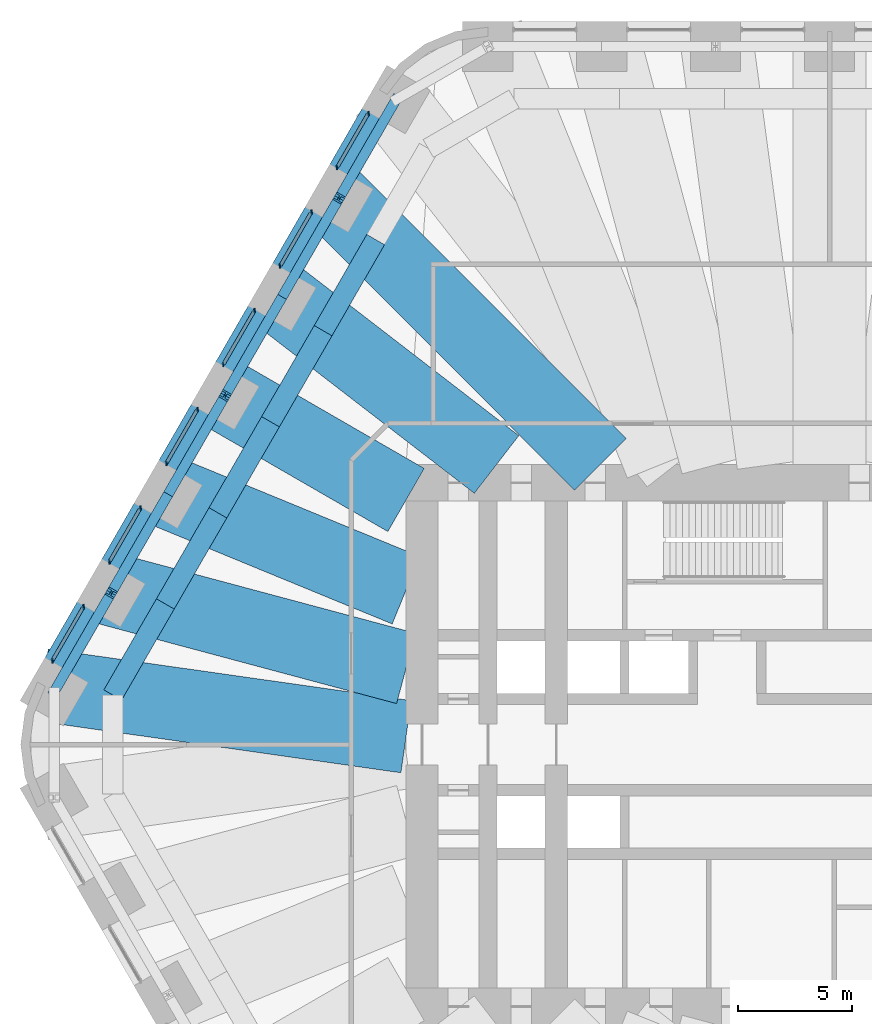
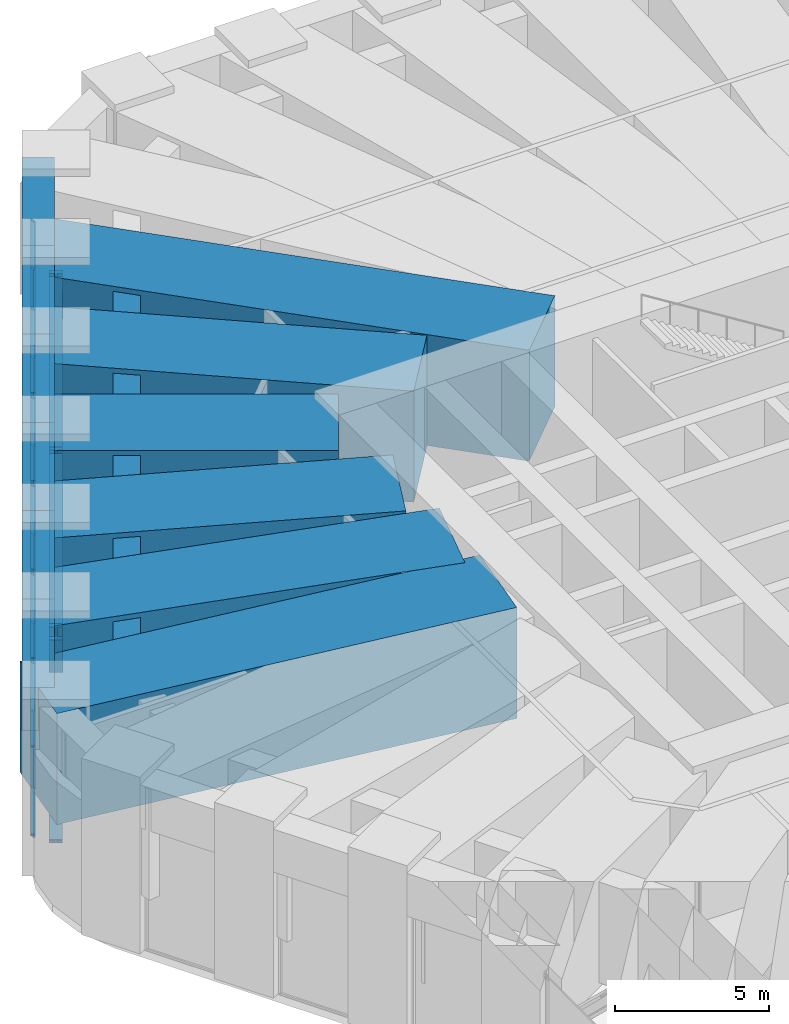
# One storey, part 6 of 16: 30 members, 17 beams, 6 elements without a shape of their own.
"""IFC4 building model written with IfcOpenShell, lengths in metres."""

from ifc_helpers import new_model, si_unit, direction, frame, origin, origin_2d, place, context, subcontext, project, spatial, rectangle, i_section, extrude, material, material_profile, profile_set, type_object, element, aggregate, save


model = new_model("IFC4")

# Units and contexts
model_context = context("Model", 3, precision=1e-05, world=origin(), true_north=direction((0.0, 1.0)))
body_context = subcontext(model_context, "Body", "Model", "MODEL_VIEW")
ifc_project = project(units=[si_unit("LENGTHUNIT", "METRE"), si_unit("AREAUNIT", "SQUARE_METRE"), si_unit("VOLUMEUNIT", "CUBIC_METRE"), si_unit("PLANEANGLEUNIT", "RADIAN"), si_unit("MASSUNIT", "GRAM", prefix="KILO")], contexts=[model_context])

# Site, building, storey
site_placement = place(None, origin())
site = spatial("IfcSite", under=ifc_project, at=site_placement, CompositionType="ELEMENT")
building_placement = place(site_placement, origin())
building = spatial("IfcBuilding", under=site, at=building_placement, Name="Tarfa Lantern Tower", CompositionType="ELEMENT")
storey_placement = place(building_placement, frame((0.0, 0.0, 203.5)))
storey = spatial("IfcBuildingStorey", under=building, at=storey_placement, Name="L46", CompositionType="ELEMENT", Elevation=203.5)

# Members
ifc_material_1 = material(Name="Steel S460M", Category="steel")
ifc_material_profile_1 = material_profile(ifc_material_1, i_section(OverallWidth=0.44189453125, OverallDepth=0.531005859375, WebThickness=0.06591796875, FlangeThickness=0.10595703125, FilletRadius=0.02001953125, at=origin_2d()), Name="HD400x900")
ifc_profile_set_1 = profile_set([ifc_material_profile_1], Name="Steel S460M")
member_type_1 = type_object("IfcMemberType", Name="BT2 HD400x900", PredefinedType="BRACE", material=ifc_profile_set_1)
for number, where, z_axis, x_axis, name in (
    (1, (-19.0380859375, 28.324951171875, 0.60009765625), (-0.360844152163, -0.624963198354, 0.692251759516), (0.866012514114, -0.500022324899, 0.0), "Belt truss diagonal 15"),
    (2, (-24.041748046875, 19.658447265625, 0.60009765625), (0.360813525196, 0.624971138743, 0.69226055483), (-0.866033642122, 0.49998573051, 0.0), "Belt truss diagonal 16"),
):
    element("IfcMember", number, at=place(storey_placement, frame(where, z_axis=z_axis, x_axis=x_axis)), inside=storey, type_object=member_type_1, Name=name, PredefinedType="BRACE", context=body_context, shape_type="SweptSolid", body=[
        extrude(i_section(OverallWidth=0.44189453125, OverallDepth=0.531005859375, WebThickness=0.06591796875, FlangeThickness=0.10595703125, FilletRadius=0.02001953125, at=origin_2d()), origin(), (0.0, 0.0, 1.0), 6.93359375),
    ])
member_1_placement = place(storey_placement, frame((-24.041748046875, 19.658447265625, 0.60009765625), z_axis=(-0.360836211576, -0.624984656077, 0.692236526112), x_axis=(0.866024712477, -0.500001197378, 0.0)))
element("IfcMember", 3, at=member_1_placement, inside=storey, type_object=member_type_1, Name="Belt truss diagonal 17", PredefinedType="BRACE", context=body_context, shape_type="SweptSolid", body=[
    extrude(i_section(OverallWidth=0.44189453125, OverallDepth=0.531005859375, WebThickness=0.06591796875, FlangeThickness=0.10595703125, FilletRadius=0.02001953125, at=origin_2d()), origin(), (0.0, 0.0, 1.0), 6.933837890625),
])
for number, where, z_axis, x_axis, name in (
    (4, (-29.04541015625, 10.99169921875, 0.60009765625), (0.360813525196, 0.624971138743, 0.69226055483), (-0.866033642122, 0.49998573051, 0.0), "Belt truss diagonal 18"),
    (5, (-29.04541015625, 10.99169921875, 0.60009765625), (-0.360844152163, -0.624963198354, 0.692251759516), (0.866012514114, -0.500022324899, 0.0), "Belt truss diagonal 19"),
):
    element("IfcMember", number, at=place(storey_placement, frame(where, z_axis=z_axis, x_axis=x_axis)), inside=storey, type_object=member_type_1, Name=name, PredefinedType="BRACE", context=body_context, shape_type="SweptSolid", body=[
        extrude(i_section(OverallWidth=0.44189453125, OverallDepth=0.531005859375, WebThickness=0.06591796875, FlangeThickness=0.10595703125, FilletRadius=0.02001953125, at=origin_2d()), origin(), (0.0, 0.0, 1.0), 6.93359375),
    ])
member_2_placement = place(storey_placement, frame((-34.04931640625, 2.324951171875, 0.60009765625), z_axis=(0.360836211576, 0.624984656077, 0.692236526112), x_axis=(-0.866024712477, 0.500001197378, 0.0)))
element("IfcMember", 6, at=member_2_placement, inside=storey, type_object=member_type_1, Name="Belt truss diagonal 20", PredefinedType="BRACE", context=body_context, shape_type="SweptSolid", body=[
    extrude(i_section(OverallWidth=0.44189453125, OverallDepth=0.531005859375, WebThickness=0.06591796875, FlangeThickness=0.10595703125, FilletRadius=0.02001953125, at=origin_2d()), origin(), (0.0, 0.0, 1.0), 6.933837890625),
])

# Curtain wall, members
ifc_material_2 = material(Name="Aluminium framed curtain wall", Category="aluminium")
curtain_wall_type = type_object("IfcCurtainWallType", Name="CW6 LOUVRED SCREEN WALL 5000", PredefinedType="USERDEFINED", material=ifc_material_2)
curtain_wall_1_placement = place(storey_placement, origin())
curtain_wall_1 = element("IfcCurtainWall", 7, at=curtain_wall_1_placement, inside=storey, type_object=curtain_wall_type, Name="CW6 NW L46", ObjectType="CURTAIN WALL", PredefinedType="USERDEFINED")
ifc_material_3 = material(Name="Aluminium mullion", Category="aluminium")
ifc_material_profile_2 = material_profile(ifc_material_3, rectangle(XDim=0.06494140625, YDim=0.199951171875, at=origin_2d()), Name="AL MULLION 65x200")
ifc_profile_set_2 = profile_set([ifc_material_profile_2], Name="Aluminium mullion")
member_type_2 = type_object("IfcMemberType", Name="CWM1 MULLION 65x200", PredefinedType="MULLION", material=ifc_profile_set_2)
member_3_placement = place(storey_placement, frame((-20.25390625, 27.71923828125, 0.0), z_axis=(0.0, 0.0, 1.0), x_axis=(1.0, 0.0, 0.0)))
member_3 = element("IfcMember", 8, at=member_3_placement, type_object=member_type_2, Name="CW6 mullion 1", PredefinedType="MULLION", context=body_context, shape_type="SweptSolid", body=[
    extrude(rectangle(XDim=0.06494140625, YDim=0.199951171875, at=origin_2d()), origin(), (0.0, 0.0, 1.0), 5.0),
])
member_4_placement = place(storey_placement, frame((-21.623291015625, 25.347412109375, 0.0), z_axis=(0.0, 0.0, 1.0), x_axis=(1.0, 0.0, 0.0)))
member_4 = element("IfcMember", 9, at=member_4_placement, type_object=member_type_2, Name="CW6 mullion 2", PredefinedType="MULLION", context=body_context, shape_type="SweptSolid", body=[
    extrude(rectangle(XDim=0.06494140625, YDim=0.199951171875, at=origin_2d()), origin(), (0.0, 0.0, 1.0), 5.0),
])

curtain_wall_2_placement = place(storey_placement, origin())
curtain_wall_2 = element("IfcCurtainWall", 10, at=curtain_wall_2_placement, inside=storey, type_object=curtain_wall_type, Name="CW6 NW L46", ObjectType="CURTAIN WALL", PredefinedType="USERDEFINED")
member_5_placement = place(storey_placement, frame((-22.755859375, 23.385986328125, 0.0), z_axis=(0.0, 0.0, 1.0), x_axis=(1.0, 0.0, 0.0)))
member_5 = element("IfcMember", 11, at=member_5_placement, type_object=member_type_2, Name="CW6 mullion 1", PredefinedType="MULLION", context=body_context, shape_type="SweptSolid", body=[
    extrude(rectangle(XDim=0.06494140625, YDim=0.199951171875, at=origin_2d()), origin(), (0.0, 0.0, 1.0), 5.0),
])
member_6_placement = place(storey_placement, frame((-24.125, 21.01416015625, 0.0), z_axis=(0.0, 0.0, 1.0), x_axis=(1.0, 0.0, 0.0)))
member_6 = element("IfcMember", 12, at=member_6_placement, type_object=member_type_2, Name="CW6 mullion 2", PredefinedType="MULLION", context=body_context, shape_type="SweptSolid", body=[
    extrude(rectangle(XDim=0.06494140625, YDim=0.199951171875, at=origin_2d()), origin(), (0.0, 0.0, 1.0), 5.0),
])

curtain_wall_3_placement = place(storey_placement, origin())
curtain_wall_3 = element("IfcCurtainWall", 13, at=curtain_wall_3_placement, inside=storey, type_object=curtain_wall_type, Name="CW6 NW L46", ObjectType="CURTAIN WALL", PredefinedType="USERDEFINED")
member_7_placement = place(storey_placement, frame((-25.257568359375, 19.052490234375, 0.0), z_axis=(0.0, 0.0, 1.0), x_axis=(1.0, 0.0, 0.0)))
member_7 = element("IfcMember", 14, at=member_7_placement, type_object=member_type_2, Name="CW6 mullion 1", PredefinedType="MULLION", context=body_context, shape_type="SweptSolid", body=[
    extrude(rectangle(XDim=0.06494140625, YDim=0.199951171875, at=origin_2d()), origin(), (0.0, 0.0, 1.0), 5.0),
])
member_8_placement = place(storey_placement, frame((-26.626953125, 16.6806640625, 0.0), z_axis=(0.0, 0.0, 1.0), x_axis=(1.0, 0.0, 0.0)))
member_8 = element("IfcMember", 15, at=member_8_placement, type_object=member_type_2, Name="CW6 mullion 2", PredefinedType="MULLION", context=body_context, shape_type="SweptSolid", body=[
    extrude(rectangle(XDim=0.06494140625, YDim=0.199951171875, at=origin_2d()), origin(), (0.0, 0.0, 1.0), 5.0),
])

curtain_wall_4_placement = place(storey_placement, origin())
curtain_wall_4 = element("IfcCurtainWall", 16, at=curtain_wall_4_placement, inside=storey, type_object=curtain_wall_type, Name="CW6 NW L46", ObjectType="CURTAIN WALL", PredefinedType="USERDEFINED")
member_9_placement = place(storey_placement, frame((-27.759521484375, 14.71923828125, 0.0), z_axis=(0.0, 0.0, 1.0), x_axis=(1.0, 0.0, 0.0)))
member_9 = element("IfcMember", 17, at=member_9_placement, type_object=member_type_2, Name="CW6 mullion 1", PredefinedType="MULLION", context=body_context, shape_type="SweptSolid", body=[
    extrude(rectangle(XDim=0.06494140625, YDim=0.199951171875, at=origin_2d()), origin(), (0.0, 0.0, 1.0), 5.0),
])
member_10_placement = place(storey_placement, frame((-29.12890625, 12.347412109375, 0.0), z_axis=(0.0, 0.0, 1.0), x_axis=(1.0, 0.0, 0.0)))
member_10 = element("IfcMember", 18, at=member_10_placement, type_object=member_type_2, Name="CW6 mullion 2", PredefinedType="MULLION", context=body_context, shape_type="SweptSolid", body=[
    extrude(rectangle(XDim=0.06494140625, YDim=0.199951171875, at=origin_2d()), origin(), (0.0, 0.0, 1.0), 5.0),
])

curtain_wall_5_placement = place(storey_placement, origin())
curtain_wall_5 = element("IfcCurtainWall", 19, at=curtain_wall_5_placement, inside=storey, type_object=curtain_wall_type, Name="CW6 NW L46", ObjectType="CURTAIN WALL", PredefinedType="USERDEFINED")
member_11_placement = place(storey_placement, frame((-30.26123046875, 10.385986328125, 0.0), z_axis=(0.0, 0.0, 1.0), x_axis=(1.0, 0.0, 0.0)))
member_11 = element("IfcMember", 20, at=member_11_placement, type_object=member_type_2, Name="CW6 mullion 1", PredefinedType="MULLION", context=body_context, shape_type="SweptSolid", body=[
    extrude(rectangle(XDim=0.06494140625, YDim=0.199951171875, at=origin_2d()), origin(), (0.0, 0.0, 1.0), 5.0),
])
member_12_placement = place(storey_placement, frame((-31.630615234375, 8.01416015625, 0.0), z_axis=(0.0, 0.0, 1.0), x_axis=(1.0, 0.0, 0.0)))
member_12 = element("IfcMember", 21, at=member_12_placement, type_object=member_type_2, Name="CW6 mullion 2", PredefinedType="MULLION", context=body_context, shape_type="SweptSolid", body=[
    extrude(rectangle(XDim=0.06494140625, YDim=0.199951171875, at=origin_2d()), origin(), (0.0, 0.0, 1.0), 5.0),
])

curtain_wall_6_placement = place(storey_placement, origin())
curtain_wall_6 = element("IfcCurtainWall", 22, at=curtain_wall_6_placement, inside=storey, type_object=curtain_wall_type, Name="CW6 NW L46", ObjectType="CURTAIN WALL", PredefinedType="USERDEFINED")
member_13_placement = place(storey_placement, frame((-32.76318359375, 6.052490234375, 0.0), z_axis=(0.0, 0.0, 1.0), x_axis=(1.0, 0.0, 0.0)))
member_13 = element("IfcMember", 23, at=member_13_placement, type_object=member_type_2, Name="CW6 mullion 1", PredefinedType="MULLION", context=body_context, shape_type="SweptSolid", body=[
    extrude(rectangle(XDim=0.06494140625, YDim=0.199951171875, at=origin_2d()), origin(), (0.0, 0.0, 1.0), 5.0),
])
member_14_placement = place(storey_placement, frame((-34.132568359375, 3.6806640625, 0.0), z_axis=(0.0, 0.0, 1.0), x_axis=(1.0, 0.0, 0.0)))
member_14 = element("IfcMember", 24, at=member_14_placement, type_object=member_type_2, Name="CW6 mullion 2", PredefinedType="MULLION", context=body_context, shape_type="SweptSolid", body=[
    extrude(rectangle(XDim=0.06494140625, YDim=0.199951171875, at=origin_2d()), origin(), (0.0, 0.0, 1.0), 5.0),
])

# Member
ifc_material_4 = material(Name="Aluminium transom", Category="aluminium")
ifc_material_profile_3 = material_profile(ifc_material_4, rectangle(XDim=0.14990234375, YDim=0.06494140625, at=origin_2d()), Name="AL TRANSOM 150x65")
ifc_profile_set_3 = profile_set([ifc_material_profile_3], Name="Aluminium transom")
member_type_3 = type_object("IfcMemberType", Name="CWT1 TRANSOM 150x65", PredefinedType="USERDEFINED", material=ifc_profile_set_3)
member_15_placement = place(storey_placement, frame((-20.270263671875, 27.691162109375, 0.032470703125), z_axis=(-0.499920058375, -0.866071553184, 0.0), x_axis=(0.866071553184, -0.499920058375, 0.0)))
member_15 = element("IfcMember", 25, at=member_15_placement, type_object=member_type_3, Name="CW6 transom 1.1", ObjectType="TRANSOM", PredefinedType="USERDEFINED", context=body_context, shape_type="SweptSolid", body=[
    extrude(rectangle(XDim=0.14990234375, YDim=0.06494140625, at=origin_2d()), origin(), (0.0, 0.0, 1.0), 2.673828125),
])

member_16_placement = place(storey_placement, frame((-20.270263671875, 27.691162109375, 4.967529296875), z_axis=(-0.499920058375, -0.866071553184, 0.0), x_axis=(0.866071553184, -0.499920058375, 0.0)))
member_16 = element("IfcMember", 26, at=member_16_placement, type_object=member_type_3, Name="CW6 transom 1.2", ObjectType="TRANSOM", PredefinedType="USERDEFINED", context=body_context, shape_type="SweptSolid", body=[
    extrude(rectangle(XDim=0.14990234375, YDim=0.06494140625, at=origin_2d()), origin(), (0.0, 0.0, 1.0), 2.673828125),
])

aggregate(curtain_wall_1, [member_3, member_4, member_15, member_16])

member_17_placement = place(storey_placement, frame((-22.77197265625, 23.357666015625, 0.032470703125), z_axis=(-0.500028081597, -0.86600919026, 0.0), x_axis=(0.86600919026, -0.500028081597, 0.0)))
member_17 = element("IfcMember", 27, at=member_17_placement, type_object=member_type_3, Name="CW6 transom 1.1", ObjectType="TRANSOM", PredefinedType="USERDEFINED", context=body_context, shape_type="SweptSolid", body=[
    extrude(rectangle(XDim=0.14990234375, YDim=0.06494140625, at=origin_2d()), origin(), (0.0, 0.0, 1.0), 2.673583984375),
])

member_18_placement = place(storey_placement, frame((-22.77197265625, 23.357666015625, 4.967529296875), z_axis=(-0.500028081597, -0.86600919026, 0.0), x_axis=(0.86600919026, -0.500028081597, 0.0)))
member_18 = element("IfcMember", 28, at=member_18_placement, type_object=member_type_3, Name="CW6 transom 1.2", ObjectType="TRANSOM", PredefinedType="USERDEFINED", context=body_context, shape_type="SweptSolid", body=[
    extrude(rectangle(XDim=0.14990234375, YDim=0.06494140625, at=origin_2d()), origin(), (0.0, 0.0, 1.0), 2.673583984375),
])

aggregate(curtain_wall_2, [member_5, member_6, member_17, member_18])

member_19_placement = place(storey_placement, frame((-25.27392578125, 19.0244140625, 0.032470703125), z_axis=(-0.499959594982, -0.866048730376, 0.0), x_axis=(0.866048730376, -0.499959594982, 0.0)))
member_19 = element("IfcMember", 29, at=member_19_placement, type_object=member_type_3, Name="CW6 transom 1.1", ObjectType="TRANSOM", PredefinedType="USERDEFINED", context=body_context, shape_type="SweptSolid", body=[
    extrude(rectangle(XDim=0.14990234375, YDim=0.06494140625, at=origin_2d()), origin(), (0.0, 0.0, 1.0), 2.673583984375),
])

member_20_placement = place(storey_placement, frame((-25.27392578125, 19.0244140625, 4.967529296875), z_axis=(-0.499959594982, -0.866048730376, 0.0), x_axis=(0.866048730376, -0.499959594982, 0.0)))
member_20 = element("IfcMember", 30, at=member_20_placement, type_object=member_type_3, Name="CW6 transom 1.2", ObjectType="TRANSOM", PredefinedType="USERDEFINED", context=body_context, shape_type="SweptSolid", body=[
    extrude(rectangle(XDim=0.14990234375, YDim=0.06494140625, at=origin_2d()), origin(), (0.0, 0.0, 1.0), 2.673583984375),
])

aggregate(curtain_wall_3, [member_7, member_8, member_19, member_20])

member_21_placement = place(storey_placement, frame((-27.775634765625, 14.691162109375, 0.032470703125), z_axis=(-0.499988543184, -0.866032018279, 0.0), x_axis=(0.866032018279, -0.499988543184, 0.0)))
member_21 = element("IfcMember", 31, at=member_21_placement, type_object=member_type_3, Name="CW6 transom 1.1", ObjectType="TRANSOM", PredefinedType="USERDEFINED", context=body_context, shape_type="SweptSolid", body=[
    extrude(rectangle(XDim=0.14990234375, YDim=0.06494140625, at=origin_2d()), origin(), (0.0, 0.0, 1.0), 2.673828125),
])

member_22_placement = place(storey_placement, frame((-27.775634765625, 14.691162109375, 4.967529296875), z_axis=(-0.499988543184, -0.866032018279, 0.0), x_axis=(0.866032018279, -0.499988543184, 0.0)))
member_22 = element("IfcMember", 32, at=member_22_placement, type_object=member_type_3, Name="CW6 transom 1.2", ObjectType="TRANSOM", PredefinedType="USERDEFINED", context=body_context, shape_type="SweptSolid", body=[
    extrude(rectangle(XDim=0.14990234375, YDim=0.06494140625, at=origin_2d()), origin(), (0.0, 0.0, 1.0), 2.673828125),
])

aggregate(curtain_wall_4, [member_9, member_10, member_21, member_22])

member_23_placement = place(storey_placement, frame((-30.277587890625, 10.357666015625, 0.032470703125), z_axis=(-0.500028081597, -0.86600919026, 0.0), x_axis=(0.86600919026, -0.500028081597, 0.0)))
member_23 = element("IfcMember", 33, at=member_23_placement, type_object=member_type_3, Name="CW6 transom 1.1", ObjectType="TRANSOM", PredefinedType="USERDEFINED", context=body_context, shape_type="SweptSolid", body=[
    extrude(rectangle(XDim=0.14990234375, YDim=0.06494140625, at=origin_2d()), origin(), (0.0, 0.0, 1.0), 2.673583984375),
])

member_24_placement = place(storey_placement, frame((-30.277587890625, 10.357666015625, 4.967529296875), z_axis=(-0.500028081597, -0.86600919026, 0.0), x_axis=(0.86600919026, -0.500028081597, 0.0)))
member_24 = element("IfcMember", 34, at=member_24_placement, type_object=member_type_3, Name="CW6 transom 1.2", ObjectType="TRANSOM", PredefinedType="USERDEFINED", context=body_context, shape_type="SweptSolid", body=[
    extrude(rectangle(XDim=0.14990234375, YDim=0.06494140625, at=origin_2d()), origin(), (0.0, 0.0, 1.0), 2.673583984375),
])

aggregate(curtain_wall_5, [member_11, member_12, member_23, member_24])

member_25_placement = place(storey_placement, frame((-32.779296875, 6.0244140625, 0.032470703125), z_axis=(-0.500028081597, -0.86600919026, 0.0), x_axis=(0.86600919026, -0.500028081597, 0.0)))
member_25 = element("IfcMember", 35, at=member_25_placement, type_object=member_type_3, Name="CW6 transom 1.1", ObjectType="TRANSOM", PredefinedType="USERDEFINED", context=body_context, shape_type="SweptSolid", body=[
    extrude(rectangle(XDim=0.14990234375, YDim=0.06494140625, at=origin_2d()), origin(), (0.0, 0.0, 1.0), 2.673583984375),
])

member_26_placement = place(storey_placement, frame((-32.779296875, 6.0244140625, 4.967529296875), z_axis=(-0.500028081597, -0.86600919026, 0.0), x_axis=(0.86600919026, -0.500028081597, 0.0)))
member_26 = element("IfcMember", 36, at=member_26_placement, type_object=member_type_3, Name="CW6 transom 1.2", ObjectType="TRANSOM", PredefinedType="USERDEFINED", context=body_context, shape_type="SweptSolid", body=[
    extrude(rectangle(XDim=0.14990234375, YDim=0.06494140625, at=origin_2d()), origin(), (0.0, 0.0, 1.0), 2.673583984375),
])

aggregate(curtain_wall_6, [member_13, member_14, member_25, member_26])

# Beams
ifc_material_5 = material(Name="Concrete C80/95", Category="concrete")
ifc_material_profile_4 = material_profile(ifc_material_5, rectangle(XDim=1.050048828125, YDim=1.699951171875, at=origin_2d()), Name="RC 1050x1700")
ifc_profile_set_4 = profile_set([ifc_material_profile_4], Name="Concrete C80/95")
beam_type_1 = type_object("IfcBeamType", Name="RB2 RC 1050x1700", PredefinedType="BEAM", material=ifc_profile_set_4)
beam_1_placement = place(storey_placement, frame((-19.53173828125, 28.610107421875, 5.85009765625), z_axis=(-0.500001197378, -0.866024712477, 0.0), x_axis=(0.866024712477, -0.500001197378, 0.0)))
element("IfcBeam", 37, at=beam_1_placement, inside=storey, type_object=beam_type_1, Name="Edge beam NW0", PredefinedType="BEAM", context=body_context, shape_type="SweptSolid", body=[
    extrude(rectangle(XDim=1.050048828125, YDim=1.699951171875, at=origin_2d()), origin(), (0.0, 0.0, 1.0), 5.00390625),
])
for number, where, z_axis, x_axis, name in (
    (38, (-22.03369140625, 24.276611328125, 5.85009765625), (-0.49998573051, -0.866033642122, 0.0), (0.866033642122, -0.49998573051, 0.0), "Edge beam NW1"),
    (39, (-24.535400390625, 19.943359375, 5.85009765625), (-0.500022324899, -0.866012514114, 0.0), (0.866012514114, -0.500022324899, 0.0), "Edge beam NW2"),
    (40, (-27.037353515625, 15.610107421875, 5.85009765625), (-0.499964603504, -0.866045838996, 0.0), (0.866045838996, -0.499964603504, 0.0), "Edge beam NW3"),
    (41, (-29.5390625, 11.276611328125, 5.85009765625), (-0.500022324899, -0.866012514114, 0.0), (0.866012514114, -0.500022324899, 0.0), "Edge beam NW4"),
    (42, (-32.041015625, 6.943359375, 5.85009765625), (-0.500022324899, -0.866012514114, 0.0), (0.866012514114, -0.500022324899, 0.0), "Edge beam NW5"),
):
    element("IfcBeam", number, at=place(storey_placement, frame(where, z_axis=z_axis, x_axis=x_axis)), inside=storey, type_object=beam_type_1, Name=name, PredefinedType="BEAM", context=body_context, shape_type="SweptSolid", body=[
        extrude(rectangle(XDim=1.050048828125, YDim=1.699951171875, at=origin_2d()), origin(), (0.0, 0.0, 1.0), 5.003662109375),
    ])
ifc_material_profile_5 = material_profile(ifc_material_5, rectangle(XDim=0.89990234375, YDim=4.0, at=origin_2d()), Name="RC 900x4000")
ifc_profile_set_5 = profile_set([ifc_material_profile_5], Name="Concrete C80/95")
beam_type_2 = type_object("IfcBeamType", Name="RG2 RC 900x4000", PredefinedType="BEAM", material=ifc_profile_set_5)
for number, where, z_axis, x_axis, name in (
    (43, (-19.93310546875, 22.175048828125, 4.5), (-0.499987836815, -0.866032426089, 0.0), (0.866032426089, -0.499987836815, 0.0), "Ring girder NW1"),
    (44, (-22.242431640625, 18.175048828125, 4.5), (-0.499987836815, -0.866032426089, 0.0), (0.866032426089, -0.499987836815, 0.0), "Ring girder NW2"),
):
    element("IfcBeam", number, at=place(storey_placement, frame(where, z_axis=z_axis, x_axis=x_axis)), inside=storey, type_object=beam_type_2, Name=name, PredefinedType="BEAM", context=body_context, shape_type="SweptSolid", body=[
        extrude(rectangle(XDim=0.89990234375, YDim=4.0, at=origin_2d()), origin(), (0.0, 0.0, 1.0), 4.61865234375),
    ])
beam_2_placement = place(storey_placement, frame((-24.5517578125, 14.175048828125, 4.5), z_axis=(-0.500027479704, -0.866009537788, 0.0), x_axis=(0.866009537788, -0.500027479704, 0.0)))
element("IfcBeam", 45, at=beam_2_placement, inside=storey, type_object=beam_type_2, Name="Ring girder NW3", PredefinedType="BEAM", context=body_context, shape_type="SweptSolid", body=[
    extrude(rectangle(XDim=0.89990234375, YDim=4.0, at=origin_2d()), origin(), (0.0, 0.0, 1.0), 4.618896484375),
])
for number, where, z_axis, x_axis, name in (
    (46, (-26.861328125, 10.175048828125, 4.5), (-0.499987836815, -0.866032426089, 0.0), (0.866032426089, -0.499987836815, 0.0), "Ring girder NW4"),
    (47, (-29.170654296875, 6.175048828125, 4.5), (-0.499987836815, -0.866032426089, 0.0), (0.866032426089, -0.499987836815, 0.0), "Ring girder NW5"),
):
    element("IfcBeam", number, at=place(storey_placement, frame(where, z_axis=z_axis, x_axis=x_axis)), inside=storey, type_object=beam_type_2, Name=name, PredefinedType="BEAM", context=body_context, shape_type="SweptSolid", body=[
        extrude(rectangle(XDim=0.89990234375, YDim=4.0, at=origin_2d()), origin(), (0.0, 0.0, 1.0), 4.61865234375),
    ])
ifc_material_profile_6 = material_profile(ifc_material_5, rectangle(XDim=3.199951171875, YDim=4.39990234375, at=origin_2d()), Name="RC 3200x4400")
ifc_profile_set_6 = profile_set([ifc_material_profile_6], Name="Concrete C80/95")
beam_type_3 = type_object("IfcBeamType", Name="TG2 RC 3200x4400", PredefinedType="BEAM", material=ifc_profile_set_6)
beam_3_placement = place(storey_placement, frame((-22.03369140625, 24.276611328125, 4.5), z_axis=(0.706933746377, -0.707279773663, 0.0), x_axis=(0.707279773663, 0.706933746377, 0.0)))
element("IfcBeam", 48, at=beam_3_placement, inside=storey, type_object=beam_type_3, Name="Transfer girder NW1", PredefinedType="BEAM", context=body_context, shape_type="SweptSolid", body=[
    extrude(rectangle(XDim=3.199951171875, YDim=4.39990234375, at=origin_2d()), origin(), (0.0, 0.0, 1.0), 16.933349609375),
])
beam_4_placement = place(storey_placement, frame((-24.535400390625, 19.943359375, 4.5), z_axis=(0.791875774463, -0.610682206895, 0.0), x_axis=(0.610682206895, 0.791875774463, 0.0)))
element("IfcBeam", 49, at=beam_4_placement, inside=storey, type_object=beam_type_3, Name="Transfer girder NW2", PredefinedType="BEAM", context=body_context, shape_type="SweptSolid", body=[
    extrude(rectangle(XDim=3.199951171875, YDim=4.39990234375, at=origin_2d()), origin(), (0.0, 0.0, 1.0), 12.51611328125),
])
beam_5_placement = place(storey_placement, frame((-27.037353515625, 15.610107421875, 4.5), z_axis=(0.86602158371, -0.500006616504, 0.0), x_axis=(0.500006616504, 0.86602158371, 0.0)))
element("IfcBeam", 50, at=beam_5_placement, inside=storey, type_object=beam_type_3, Name="Transfer girder NW3", PredefinedType="BEAM", context=body_context, shape_type="SweptSolid", body=[
    extrude(rectangle(XDim=3.199951171875, YDim=4.39990234375, at=origin_2d()), origin(), (0.0, 0.0, 1.0), 9.742431640625),
])
beam_6_placement = place(storey_placement, frame((-29.5390625, 11.276611328125, 4.5), z_axis=(0.924798167794, -0.380458077645, 0.0), x_axis=(0.380458077645, 0.924798167794, 0.0)))
element("IfcBeam", 51, at=beam_6_placement, inside=storey, type_object=beam_type_3, Name="Transfer girder NW4", PredefinedType="BEAM", context=body_context, shape_type="SweptSolid", body=[
    extrude(rectangle(XDim=3.199951171875, YDim=4.39990234375, at=origin_2d()), origin(), (0.0, 0.0, 1.0), 11.828369140625),
])
beam_7_placement = place(storey_placement, frame((-32.041015625, 6.943359375, 4.5), z_axis=(0.965990168445, -0.258578797406, 0.0), x_axis=(0.258578797406, 0.965990168445, 0.0)))
element("IfcBeam", 52, at=beam_7_placement, inside=storey, type_object=beam_type_3, Name="Transfer girder NW5", PredefinedType="BEAM", context=body_context, shape_type="SweptSolid", body=[
    extrude(rectangle(XDim=3.199951171875, YDim=4.39990234375, at=origin_2d()), origin(), (0.0, 0.0, 1.0), 13.9140625),
])
beam_8_placement = place(storey_placement, frame((-34.54296875, 2.610107421875, 4.5), z_axis=(0.990063486473, -0.140621096399, 0.0), x_axis=(0.140621096399, 0.990063486473, 0.0)))
element("IfcBeam", 53, at=beam_8_placement, inside=storey, type_object=beam_type_3, Name="Transfer girder NW6", PredefinedType="BEAM", context=body_context, shape_type="SweptSolid", body=[
    extrude(rectangle(XDim=3.199951171875, YDim=4.39990234375, at=origin_2d()), origin(), (0.0, 0.0, 1.0), 16.102783203125),
])

save(model, "model.ifc")
